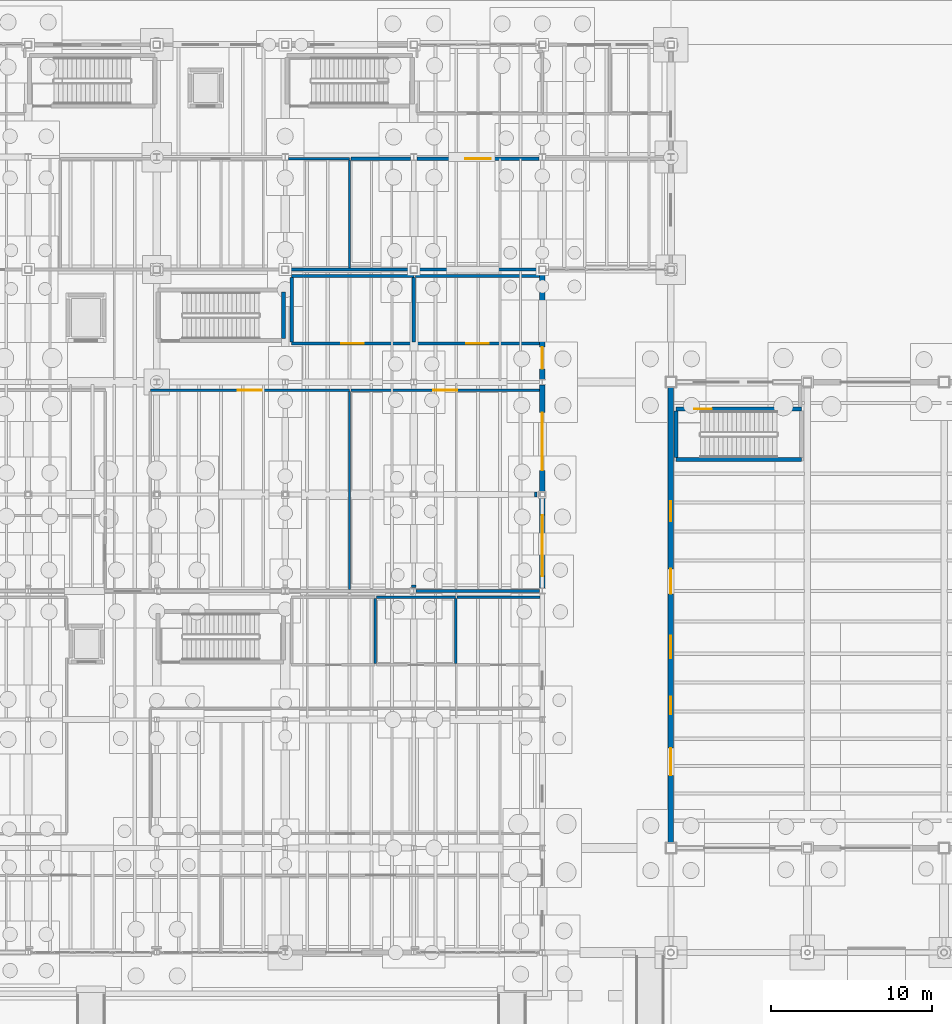
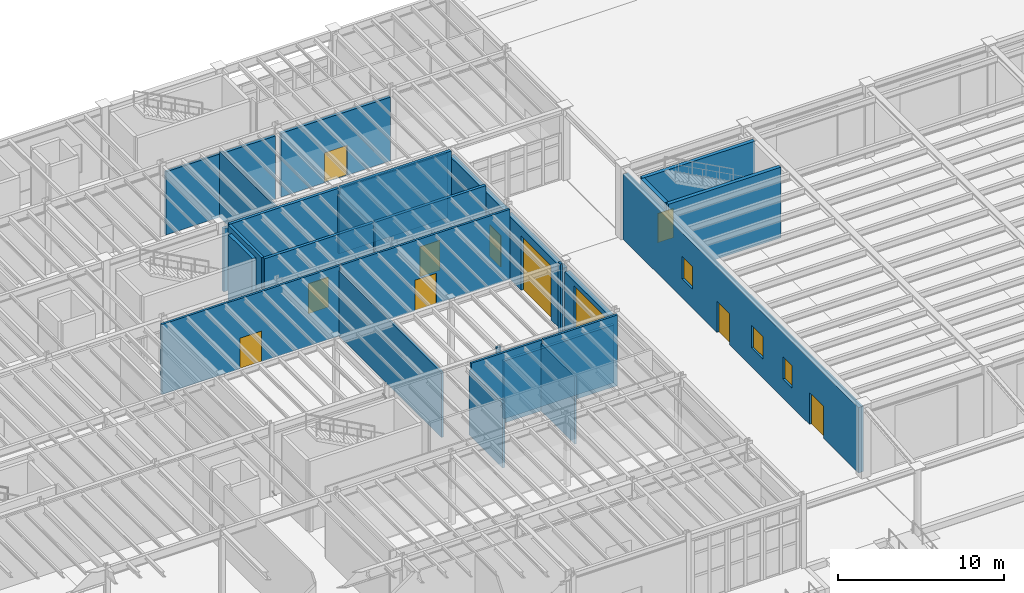
# One storey, part 62 of 86: 30 walls, 11 doors, 3 windows, 14 openings.
"""IFC4 building model written with IfcOpenShell, lengths in metres."""

from ifc_helpers import new_model, si_unit, direction, frame, frame_2d, origin, place, context, subcontext, project, spatial, rectangle, extrude, material, layer, layer_set, type_object, element, fill, save


model = new_model("IFC4")

# Units and contexts
model_context = context("Model", 3, precision=1e-05, world=origin(), true_north=direction((0.0, 1.0)))
body_context = subcontext(model_context, "Body", "Model", "MODEL_VIEW")
ifc_project = project(units=[si_unit("LENGTHUNIT", "METRE"), si_unit("AREAUNIT", "SQUARE_METRE"), si_unit("VOLUMEUNIT", "CUBIC_METRE"), si_unit("PLANEANGLEUNIT", "RADIAN"), si_unit("MASSUNIT", "GRAM", prefix="KILO"), si_unit("THERMODYNAMICTEMPERATUREUNIT", "KELVIN"), si_unit("POWERUNIT", "WATT")], contexts=[model_context])

# Site, building, storey
site_placement = place(None, origin())
site = spatial("IfcSite", under=ifc_project, at=site_placement, CompositionType="ELEMENT")
building_placement = place(site_placement, origin())
building = spatial("IfcBuilding", under=site, at=building_placement, Name="Zhenchuan Central Fire Station", CompositionType="ELEMENT")
storey_placement = place(building_placement, frame((0.0, 0.0, 0.449951171875)))
storey = spatial("IfcBuildingStorey", under=building, at=storey_placement, Name="L01", CompositionType="ELEMENT", Elevation=0.449951171875)

# Wall, openings, doors, windows
ifc_material_1 = material(Name="Sintered clay brick masonry MU15", Category="masonry")
ifc_layer_1 = layer(ifc_material_1, 0.35009765625, Name="Sintered clay brick masonry MU15", Category="masonry")
ifc_layer_set_1 = layer_set([ifc_layer_1], Name="Sintered clay brick masonry MU15")
wall_type_1 = type_object("IfcWallType", Name="EW-BRK350", PredefinedType="SOLIDWALL", material=ifc_layer_set_1)
wall_1_placement = place(storey_placement, frame((56.0, 6.824951171875, 0.0), z_axis=(0.0, 0.0, 1.0), x_axis=(0.0, 1.0, 0.0)))
wall_1 = element("IfcWall", 1, at=wall_1_placement, inside=storey, type_object=wall_type_1, Name="Appliance Hall West Brick Wall", PredefinedType="SOLIDWALL", context=body_context, shape_type="SweptSolid", body=[
    extrude(rectangle(XDim=28.35009765625, YDim=0.35009765625, at=frame_2d((14.175048828125, 0.0))), origin(), (0.0, 0.0, 1.0), 4.7939453125),
])
opening_1_placement = place(wall_1_placement, frame((4.199951171875, 0.0, 0.0)))
opening_1 = element("IfcOpeningElement", 2, at=opening_1_placement, cuts=wall_1, Name="Opening EX-003", PredefinedType="OPENING", context=body_context, shape_type="SweptSolid", body=[
    extrude(rectangle(XDim=1.699951171875, YDim=2.35009765625, at=frame_2d((0.85009765625, 1.175048828125))), frame((0.0, 0.18505859375, 0.0), z_axis=(0.0, -1.0, 0.0), x_axis=(1.0, 0.0, 0.0)), (0.0, 0.0, 1.0), 0.3701171875),
])
opening_2_placement = place(wall_1_placement, frame((15.5, 0.0, 0.0)))
opening_2 = element("IfcOpeningElement", 3, at=opening_2_placement, cuts=wall_1, Name="Opening EX-004", PredefinedType="OPENING", context=body_context, shape_type="SweptSolid", body=[
    extrude(rectangle(XDim=1.550048828125, YDim=2.300048828125, at=frame_2d((0.77490234375, 1.14990234375))), frame((0.0, 0.18505859375, 0.0), z_axis=(0.0, -1.0, 0.0), x_axis=(1.0, 0.0, 0.0)), (0.0, 0.0, 1.0), 0.3701171875),
])
opening_3_placement = place(wall_1_placement, frame((8.0, 0.0, 1.39990234375)))
opening_3 = element("IfcOpeningElement", 4, at=opening_3_placement, cuts=wall_1, Name="Opening W-47", PredefinedType="OPENING", context=body_context, shape_type="SweptSolid", body=[
    extrude(rectangle(XDim=1.10009765625, YDim=1.64990234375, at=frame_2d((0.550048828125, 0.824951171875))), frame((0.0, 0.18505859375, 0.0), z_axis=(0.0, -1.0, 0.0), x_axis=(1.0, 0.0, 0.0)), (0.0, 0.0, 1.0), 0.3701171875),
])
opening_4_placement = place(wall_1_placement, frame((11.5, 0.0, 1.39990234375)))
opening_4 = element("IfcOpeningElement", 5, at=opening_4_placement, cuts=wall_1, Name="Opening W-48", PredefinedType="OPENING", context=body_context, shape_type="SweptSolid", body=[
    extrude(rectangle(XDim=1.39990234375, YDim=1.64990234375, at=frame_2d((0.699951171875, 0.824951171875))), frame((0.0, 0.18505859375, 0.0), z_axis=(0.0, -1.0, 0.0), x_axis=(1.0, 0.0, 0.0)), (0.0, 0.0, 1.0), 0.3701171875),
])
opening_5_placement = place(wall_1_placement, frame((20.0, 0.0, 1.39990234375)))
opening_5 = element("IfcOpeningElement", 6, at=opening_5_placement, cuts=wall_1, Name="Opening W-49", PredefinedType="OPENING", context=body_context, shape_type="SweptSolid", body=[
    extrude(rectangle(XDim=1.25, YDim=1.64990234375, at=frame_2d((0.625, 0.824951171875))), frame((0.0, 0.18505859375, 0.0), z_axis=(0.0, -1.0, 0.0), x_axis=(1.0, 0.0, 0.0)), (0.0, 0.0, 1.0), 0.3701171875),
])
ifc_material_2 = material(Name="Powder-coated steel turnout exit door", Category="steel")
door_type_1 = type_object("IfcDoorType", Name="ED-155x230", OperationType="NOTDEFINED", PredefinedType="DOOR", material=ifc_material_2)
door_1_placement = place(opening_2_placement, origin())
door_1 = element("IfcDoor", 7, at=door_1_placement, inside=storey, type_object=door_type_1, Name="Appliance Turnout West Exit Door", OperationType="SINGLE_SWING_RIGHT", OverallHeight=2.300048828125, OverallWidth=1.550048828125, PredefinedType="DOOR", context=body_context, shape_type="SweptSolid", body=[
    extrude(rectangle(XDim=1.550048828125, YDim=2.300048828125, at=frame_2d((0.77490234375, 1.14990234375))), frame((0.0, 0.02490234375, 0.0), z_axis=(0.0, -1.0, 0.0), x_axis=(1.0, 0.0, 0.0)), (0.0, 0.0, 1.0), 0.050048828125),
])
fill(opening_2, door_1)
door_type_2 = type_object("IfcDoorType", Name="ED-170x235", OperationType="NOTDEFINED", PredefinedType="DOOR", material=ifc_material_2)
door_2_placement = place(opening_1_placement, origin())
door_2 = element("IfcDoor", 8, at=door_2_placement, inside=storey, type_object=door_type_2, Name="Appliance West Avenue Exit Door", OperationType="SINGLE_SWING_LEFT", OverallHeight=2.35009765625, OverallWidth=1.699951171875, PredefinedType="DOOR", context=body_context, shape_type="SweptSolid", body=[
    extrude(rectangle(XDim=1.699951171875, YDim=2.35009765625, at=frame_2d((0.85009765625, 1.175048828125))), frame((0.0, 0.02490234375, 0.0), z_axis=(0.0, -1.0, 0.0), x_axis=(1.0, 0.0, 0.0)), (0.0, 0.0, 1.0), 0.050048828125),
])
fill(opening_1, door_2)
ifc_material_3 = material(Name="Laminated low-E double glazing in aluminium frame", Category="aluminium")
window_type_1 = type_object("IfcWindowType", Name="WN-47", PartitioningType="SINGLE_PANEL", PredefinedType="WINDOW", material=ifc_material_3)
window_1_placement = place(opening_3_placement, origin())
window_1 = element("IfcWindow", 9, at=window_1_placement, inside=storey, type_object=window_type_1, Name="Exterior Window 0003", OverallHeight=1.64990234375, OverallWidth=1.10009765625, PartitioningType="SINGLE_PANEL", PredefinedType="WINDOW", context=body_context, shape_type="SweptSolid", body=[
    extrude(rectangle(XDim=1.10009765625, YDim=1.64990234375, at=frame_2d((0.550048828125, 0.824951171875))), frame((0.0, 0.030029296875, 0.0), z_axis=(0.0, -1.0, 0.0), x_axis=(1.0, 0.0, 0.0)), (0.0, 0.0, 1.0), 0.06005859375),
])
fill(opening_3, window_1)
window_type_2 = type_object("IfcWindowType", Name="WN-48", PartitioningType="SINGLE_PANEL", PredefinedType="WINDOW", material=ifc_material_3)
window_2_placement = place(opening_4_placement, origin())
window_2 = element("IfcWindow", 10, at=window_2_placement, inside=storey, type_object=window_type_2, Name="Exterior Window 0004", OverallHeight=1.64990234375, OverallWidth=1.39990234375, PartitioningType="SINGLE_PANEL", PredefinedType="WINDOW", context=body_context, shape_type="SweptSolid", body=[
    extrude(rectangle(XDim=1.39990234375, YDim=1.64990234375, at=frame_2d((0.699951171875, 0.824951171875))), frame((0.0, 0.030029296875, 0.0), z_axis=(0.0, -1.0, 0.0), x_axis=(1.0, 0.0, 0.0)), (0.0, 0.0, 1.0), 0.06005859375),
])
fill(opening_4, window_2)
window_type_3 = type_object("IfcWindowType", Name="WN-49", PartitioningType="SINGLE_PANEL", PredefinedType="WINDOW", material=ifc_material_3)
window_3_placement = place(opening_5_placement, origin())
window_3 = element("IfcWindow", 11, at=window_3_placement, inside=storey, type_object=window_type_3, Name="Exterior Window 0005", OverallHeight=1.64990234375, OverallWidth=1.25, PartitioningType="SINGLE_PANEL", PredefinedType="WINDOW", context=body_context, shape_type="SweptSolid", body=[
    extrude(rectangle(XDim=1.25, YDim=1.64990234375, at=frame_2d((0.625, 0.824951171875))), frame((0.0, 0.030029296875, 0.0), z_axis=(0.0, -1.0, 0.0), x_axis=(1.0, 0.0, 0.0)), (0.0, 0.0, 1.0), 0.06005859375),
])
fill(opening_5, window_3)

# Wall, opening, door
wall_2_placement = place(storey_placement, frame((48.0, 22.675048828125, 0.0), z_axis=(0.0, 0.0, 1.0), x_axis=(0.0, 1.0, 0.0)))
wall_2 = element("IfcWall", 12, at=wall_2_placement, inside=storey, type_object=wall_type_1, Name="EW-L01-V4E-0", PredefinedType="SOLIDWALL", context=body_context, shape_type="SweptSolid", body=[
    extrude(rectangle(XDim=5.675048828125, YDim=0.35009765625, at=frame_2d((2.83740234375, 0.0))), origin(), (0.0, 0.0, 1.0), 4.5439453125),
])
opening_6_placement = place(wall_2_placement, frame((0.75, 0.0, 0.0)))
opening_6 = element("IfcOpeningElement", 13, at=opening_6_placement, cuts=wall_2, Name="Opening WG-001", PredefinedType="OPENING", context=body_context, shape_type="SweptSolid", body=[
    extrude(rectangle(XDim=3.800048828125, YDim=4.199951171875, at=frame_2d((1.89990234375, 2.10009765625))), frame((0.0, 0.18505859375, 0.0), z_axis=(0.0, -1.0, 0.0), x_axis=(1.0, 0.0, 0.0)), (0.0, 0.0, 1.0), 0.3701171875),
])
ifc_material_4 = material(Name="Insulated powder-coated steel", Category="steel")
door_type_3 = type_object("IfcDoorType", Name="DG-WKS-380x420", OperationType="NOTDEFINED", PredefinedType="GATE", material=ifc_material_4)
door_3_placement = place(opening_6_placement, frame((3.800048828125, 0.0, 0.0), z_axis=(0.0, 0.0, 1.0), x_axis=(-1.0, 0.0, 0.0)))
door_3 = element("IfcDoor", 14, at=door_3_placement, inside=storey, type_object=door_type_3, Name="Fleet Workshop Vehicle Gate 01", OperationType="FOLDING_TO_LEFT", OverallHeight=4.199951171875, OverallWidth=3.800048828125, PredefinedType="GATE", context=body_context, shape_type="SweptSolid", body=[
    extrude(rectangle(XDim=3.800048828125, YDim=4.199951171875, at=frame_2d((1.89990234375, 2.10009765625))), frame((0.0, 0.02490234375, 0.0), z_axis=(0.0, -1.0, 0.0), x_axis=(1.0, 0.0, 0.0)), (0.0, 0.0, 1.0), 0.050048828125),
])
fill(opening_6, door_3)

wall_3_placement = place(storey_placement, frame((48.0, 28.64990234375, 0.0), z_axis=(0.0, 0.0, 1.0), x_axis=(0.0, 1.0, 0.0)))
wall_3 = element("IfcWall", 15, at=wall_3_placement, inside=storey, type_object=wall_type_1, Name="EW-L01-V4E-1", PredefinedType="SOLIDWALL", context=body_context, shape_type="SweptSolid", body=[
    extrude(rectangle(XDim=6.675048828125, YDim=0.35009765625, at=frame_2d((3.33740234375, 0.0))), origin(), (0.0, 0.0, 1.0), 4.593994140625),
])
opening_7_placement = place(wall_3_placement, frame((1.35009765625, 0.0, 0.0)))
opening_7 = element("IfcOpeningElement", 16, at=opening_7_placement, cuts=wall_3, Name="Opening WG-002", PredefinedType="OPENING", context=body_context, shape_type="SweptSolid", body=[
    extrude(rectangle(XDim=3.60009765625, YDim=4.0, at=frame_2d((1.800048828125, 2.0))), frame((0.0, 0.18505859375, 0.0), z_axis=(0.0, -1.0, 0.0), x_axis=(1.0, 0.0, 0.0)), (0.0, 0.0, 1.0), 0.3701171875),
])
door_type_4 = type_object("IfcDoorType", Name="DG-WKS-360x400", OperationType="NOTDEFINED", PredefinedType="GATE", material=ifc_material_4)
door_4_placement = place(opening_7_placement, frame((3.60009765625, 0.0, 0.0), z_axis=(0.0, 0.0, 1.0), x_axis=(-1.0, 0.0, 0.0)))
door_4 = element("IfcDoor", 17, at=door_4_placement, inside=storey, type_object=door_type_4, Name="Fleet Workshop Vehicle Gate 02", OperationType="FOLDING_TO_RIGHT", OverallHeight=4.0, OverallWidth=3.60009765625, PredefinedType="GATE", context=body_context, shape_type="SweptSolid", body=[
    extrude(rectangle(XDim=3.60009765625, YDim=4.0, at=frame_2d((1.800048828125, 2.0))), frame((0.0, 0.02490234375, 0.0), z_axis=(0.0, -1.0, 0.0), x_axis=(1.0, 0.0, 0.0)), (0.0, 0.0, 1.0), 0.050048828125),
])
fill(opening_7, door_4)

wall_4_placement = place(storey_placement, frame((48.0, 35.675048828125, 0.0), z_axis=(0.0, 0.0, 1.0), x_axis=(0.0, 1.0, 0.0)))
wall_4 = element("IfcWall", 18, at=wall_4_placement, inside=storey, type_object=wall_type_1, Name="EW-L01-V4E-2", PredefinedType="SOLIDWALL", context=body_context, shape_type="SweptSolid", body=[
    extrude(rectangle(XDim=6.599853515625, YDim=0.35009765625, at=frame_2d((3.2998046875, 0.0))), origin(), (0.0, 0.0, 1.0), 4.64404296875),
])
opening_8_placement = place(wall_4_placement, frame((0.64990234375, 0.0, 0.0)))
opening_8 = element("IfcOpeningElement", 19, at=opening_8_placement, cuts=wall_4, Name="Opening EX-008", PredefinedType="OPENING", context=body_context, shape_type="SweptSolid", body=[
    extrude(rectangle(XDim=1.35009765625, YDim=2.300048828125, at=frame_2d((0.675048828125, 1.14990234375))), frame((0.0, 0.18505859375, 0.0), z_axis=(0.0, -1.0, 0.0), x_axis=(1.0, 0.0, 0.0)), (0.0, 0.0, 1.0), 0.3701171875),
])
ifc_material_5 = material(Name="Powder-coated steel fire exit door", Category="steel")
door_type_5 = type_object("IfcDoorType", Name="ED-135x230", OperationType="NOTDEFINED", PredefinedType="DOOR", material=ifc_material_5)
door_5_placement = place(opening_8_placement, frame((1.35009765625, 0.0, 0.0), z_axis=(0.0, 0.0, 1.0), x_axis=(-1.0, 0.0, 0.0)))
door_5 = element("IfcDoor", 20, at=door_5_placement, inside=storey, type_object=door_type_5, Name="Workshop East Yard Exit", OperationType="SINGLE_SWING_RIGHT", OverallHeight=2.300048828125, OverallWidth=1.35009765625, PredefinedType="DOOR", context=body_context, shape_type="SweptSolid", body=[
    extrude(rectangle(XDim=1.35009765625, YDim=2.300048828125, at=frame_2d((0.675048828125, 1.14990234375))), frame((0.0, 0.02490234375, 0.0), z_axis=(0.0, -1.0, 0.0), x_axis=(1.0, 0.0, 0.0)), (0.0, 0.0, 1.0), 0.050048828125),
])
fill(opening_8, door_5)

# Walls
ifc_material_6 = material(Name="Autoclaved aerated concrete blockwork", Category="masonry")
ifc_layer_2 = layer(ifc_material_6, 0.14990234375, Name="Autoclaved aerated concrete blockwork", Category="masonry")
ifc_layer_set_2 = layer_set([ifc_layer_2], Name="Autoclaved aerated concrete blockwork")
wall_type_2 = type_object("IfcWallType", Name="IW-BLK150", PredefinedType="PARTITIONING", material=ifc_layer_set_2)
wall_5_placement = place(storey_placement, frame((37.60009765625, 17.97802734375, 0.0), z_axis=(0.0, 0.0, 1.0), x_axis=(0.0, 1.0, 0.0)))
element("IfcWall", 21, at=wall_5_placement, inside=storey, type_object=wall_type_2, Name="Public Male WC E Partition", PredefinedType="PARTITIONING", context=body_context, shape_type="SweptSolid", body=[
    extrude(rectangle(XDim=4.0439453125, YDim=0.14990234375, at=frame_2d((2.02197265625, 0.0))), origin(), (0.0, 0.0, 1.0), 4.754150390625),
])
wall_6_placement = place(storey_placement, frame((37.677978515625, 22.10009765625, 0.0), z_axis=(0.0, 0.0, 1.0), x_axis=(1.0, 0.0, 0.0)))
element("IfcWall", 22, at=wall_6_placement, inside=storey, type_object=wall_type_2, Name="Public Female WC N Partition", PredefinedType="PARTITIONING", context=body_context, shape_type="SweptSolid", body=[
    extrude(rectangle(XDim=4.922119140625, YDim=0.14990234375, at=frame_2d((2.4609375, 0.0))), origin(), (0.0, 0.0, 1.0), 5.199951171875),
])
wall_7_placement = place(storey_placement, frame((42.60009765625, 17.97802734375, 0.0), z_axis=(0.0, 0.0, 1.0), x_axis=(0.0, 1.0, 0.0)))
element("IfcWall", 23, at=wall_7_placement, inside=storey, type_object=wall_type_2, Name="Public Female WC E Partition", PredefinedType="PARTITIONING", context=body_context, shape_type="SweptSolid", body=[
    extrude(rectangle(XDim=4.0439453125, YDim=0.14990234375, at=frame_2d((2.02197265625, 0.0))), origin(), (0.0, 0.0, 1.0), 4.9541015625),
])
wall_8_placement = place(storey_placement, frame((42.677978515625, 22.10009765625, 0.0), z_axis=(0.0, 0.0, 1.0), x_axis=(1.0, 0.0, 0.0)))
element("IfcWall", 24, at=wall_8_placement, inside=storey, type_object=wall_type_2, Name="Public Accessible WC N Partition", PredefinedType="PARTITIONING", context=body_context, shape_type="SweptSolid", body=[
    extrude(rectangle(XDim=5.1689453125, YDim=0.14990234375, at=frame_2d((2.58447265625, 0.0))), origin(), (0.0, 0.0, 1.0), 5.199951171875),
])

# Wall, opening, door
wall_9_placement = place(storey_placement, frame((23.60009765625, 35.0, 0.0), z_axis=(0.0, 0.0, 1.0), x_axis=(1.0, 0.0, 0.0)))
wall_9 = element("IfcWall", 25, at=wall_9_placement, inside=storey, type_object=wall_type_2, Name="Heavy Fleet Maintenance Workshop N Partition", PredefinedType="PARTITIONING", context=body_context, shape_type="SweptSolid", body=[
    extrude(rectangle(XDim=12.39990234375, YDim=0.14990234375, at=frame_2d((6.199951171875, 0.0))), origin(), (0.0, 0.0, 1.0), 5.16015625),
])
opening_9_placement = place(wall_9_placement, frame((5.449951171875, 0.0, 0.0)))
opening_9 = element("IfcOpeningElement", 26, at=opening_9_placement, cuts=wall_9, Name="Opening D-075", PredefinedType="OPENING", context=body_context, shape_type="SweptSolid", body=[
    extrude(rectangle(XDim=1.5, YDim=2.25, at=frame_2d((0.75, 1.125))), frame((0.0, 0.0849609375, 0.0), z_axis=(0.0, -1.0, 0.0), x_axis=(1.0, 0.0, 0.0)), (0.0, 0.0, 1.0), 0.169921875),
])
ifc_material_7 = material(Name="Powder-coated steel workshop door", Category="steel")
door_type_6 = type_object("IfcDoorType", Name="ID-WKS-150x225", OperationType="NOTDEFINED", PredefinedType="DOOR", material=ifc_material_7)
door_6_placement = place(opening_9_placement, origin())
door_6 = element("IfcDoor", 27, at=door_6_placement, inside=storey, type_object=door_type_6, Name="Heavy Fleet Maintenance Workshop Door", OperationType="SINGLE_SWING_LEFT", OverallHeight=2.25, OverallWidth=1.5, PredefinedType="DOOR", context=body_context, shape_type="SweptSolid", body=[
    extrude(rectangle(XDim=1.5, YDim=2.25, at=frame_2d((0.75, 1.125))), frame((0.0, 0.02490234375, 0.0), z_axis=(0.0, -1.0, 0.0), x_axis=(1.0, 0.0, 0.0)), (0.0, 0.0, 1.0), 0.050048828125),
])
fill(opening_9, door_6)

# Walls
wall_10_placement = place(storey_placement, frame((36.0, 22.60302734375, 0.0), z_axis=(0.0, 0.0, 1.0), x_axis=(0.0, 1.0, 0.0)))
element("IfcWall", 28, at=wall_10_placement, inside=storey, type_object=wall_type_2, Name="Heavy Fleet Maintenance Workshop E Partition", PredefinedType="PARTITIONING", context=body_context, shape_type="SweptSolid", body=[
    extrude(rectangle(XDim=12.319091796875, YDim=0.14990234375, at=frame_2d((6.15966796875, 0.0))), origin(), (0.0, 0.0, 1.0), 4.803955078125),
])
wall_11_placement = place(storey_placement, frame((39.85107421875, 22.800048828125, 0.0), z_axis=(0.0, 0.0, 1.0), x_axis=(1.0, 0.0, 0.0)))
element("IfcWall", 29, at=wall_11_placement, inside=storey, type_object=wall_type_2, Name="Pump and Aerial Ladder Repair Bay S Partition", PredefinedType="PARTITIONING", context=body_context, shape_type="SweptSolid", body=[
    extrude(rectangle(XDim=0.2978515625, YDim=0.14990234375, at=frame_2d((0.14892578125, 0.0))), origin(), (0.0, 0.0, 1.0), 5.16015625),
])

# Wall, opening, door
wall_12_placement = place(storey_placement, frame((36.077880859375, 35.0, 0.0), z_axis=(0.0, 0.0, 1.0), x_axis=(1.0, 0.0, 0.0)))
wall_12 = element("IfcWall", 30, at=wall_12_placement, inside=storey, type_object=wall_type_2, Name="Pump and Aerial Ladder Repair Bay N Partition", PredefinedType="PARTITIONING", context=body_context, shape_type="SweptSolid", body=[
    extrude(rectangle(XDim=11.744140625, YDim=0.14990234375, at=frame_2d((5.8720703125, 0.0))), origin(), (0.0, 0.0, 1.0), 5.16015625),
])
opening_10_placement = place(wall_12_placement, frame((5.1220703125, 0.0, 0.0)))
opening_10 = element("IfcOpeningElement", 31, at=opening_10_placement, cuts=wall_12, Name="Opening D-076", PredefinedType="OPENING", context=body_context, shape_type="SweptSolid", body=[
    extrude(rectangle(XDim=1.5, YDim=2.25, at=frame_2d((0.75, 1.125))), frame((0.0, 0.0849609375, 0.0), z_axis=(0.0, -1.0, 0.0), x_axis=(1.0, 0.0, 0.0)), (0.0, 0.0, 1.0), 0.169921875),
])
door_7_placement = place(opening_10_placement, origin())
door_7 = element("IfcDoor", 32, at=door_7_placement, inside=storey, type_object=door_type_6, Name="Pump and Aerial Ladder Repair Bay Door", OperationType="SINGLE_SWING_RIGHT", OverallHeight=2.25, OverallWidth=1.5, PredefinedType="DOOR", context=body_context, shape_type="SweptSolid", body=[
    extrude(rectangle(XDim=1.5, YDim=2.25, at=frame_2d((0.75, 1.125))), frame((0.0, 0.02490234375, 0.0), z_axis=(0.0, -1.0, 0.0), x_axis=(1.0, 0.0, 0.0)), (0.0, 0.0, 1.0), 0.050048828125),
])
fill(opening_10, door_7)

# Walls
wall_13_placement = place(storey_placement, frame((47.60009765625, 28.35302734375, 0.0), z_axis=(0.0, 0.0, 1.0), x_axis=(0.0, 1.0, 0.0)))
element("IfcWall", 33, at=wall_13_placement, inside=storey, type_object=wall_type_2, Name="Pump and Aerial Ladder Repair Bay E Partition", PredefinedType="PARTITIONING", context=body_context, shape_type="SweptSolid", body=[
    extrude(rectangle(XDim=0.2939453125, YDim=0.14990234375, at=frame_2d((0.14697265625, 0.0))), origin(), (0.0, 0.0, 1.0), 5.199951171875),
])
wall_14_placement = place(storey_placement, frame((32.202880859375, 49.39990234375, 0.0), z_axis=(0.0, 0.0, 1.0), x_axis=(1.0, 0.0, 0.0)))
element("IfcWall", 34, at=wall_14_placement, inside=storey, type_object=wall_type_2, Name="Decontamination and Gear Laundry Room N Partition 3", PredefinedType="PARTITIONING", context=body_context, shape_type="SweptSolid", body=[
    extrude(rectangle(XDim=3.797119140625, YDim=0.14990234375, at=frame_2d((1.8984375, 0.0))), origin(), (0.0, 0.0, 1.0), 4.64404296875),
])
wall_15_placement = place(storey_placement, frame((36.0, 42.60302734375, 0.0), z_axis=(0.0, 0.0, 1.0), x_axis=(0.0, 1.0, 0.0)))
element("IfcWall", 35, at=wall_15_placement, inside=storey, type_object=wall_type_2, Name="Decontamination and Gear Laundry Room E Partition", PredefinedType="PARTITIONING", context=body_context, shape_type="SweptSolid", body=[
    extrude(rectangle(XDim=6.718994140625, YDim=0.14990234375, at=frame_2d((3.359375, 0.0))), origin(), (0.0, 0.0, 1.0), 4.85400390625),
])
ifc_layer_3 = layer(ifc_material_6, 0.199951171875, Name="Autoclaved aerated concrete blockwork", Category="masonry")
ifc_layer_set_3 = layer_set([ifc_layer_3], Name="Autoclaved aerated concrete blockwork")
wall_type_3 = type_object("IfcWallType", Name="IW-FIR200", PredefinedType="PARTITIONING", material=ifc_layer_set_3)
wall_16_placement = place(storey_placement, frame((40.152099609375, 22.5, 0.0), z_axis=(0.0, 0.0, 1.0), x_axis=(1.0, 0.0, 0.0)))
element("IfcWall", 36, at=wall_16_placement, inside=storey, type_object=wall_type_3, Name="L01 Gallery-Workshop Fire Compartment Wall X=40..48", PredefinedType="PARTITIONING", context=body_context, shape_type="SweptSolid", body=[
    extrude(rectangle(XDim=7.6708984375, YDim=0.199951171875, at=frame_2d((3.83544921875, 0.0))), origin(), (0.0, 0.0, 1.0), 4.254150390625),
])
wall_17_placement = place(storey_placement, frame((32.22705078125, 42.5, 0.0), z_axis=(0.0, 0.0, 1.0), x_axis=(1.0, 0.0, 0.0)))
element("IfcWall", 37, at=wall_17_placement, inside=storey, type_object=wall_type_3, Name="L01 Workshop-Crew Fire Compartment Wall X=32..40", PredefinedType="PARTITIONING", context=body_context, shape_type="SweptSolid", body=[
    extrude(rectangle(XDim=7.5458984375, YDim=0.199951171875, at=frame_2d((3.77294921875, 0.0))), origin(), (0.0, 0.0, 1.0), 4.654052734375),
])
wall_18_placement = place(storey_placement, frame((40.22705078125, 42.5, 0.0), z_axis=(0.0, 0.0, 1.0), x_axis=(1.0, 0.0, 0.0)))
element("IfcWall", 38, at=wall_18_placement, inside=storey, type_object=wall_type_3, Name="L01 Workshop-Crew Fire Compartment Wall X=40..48", PredefinedType="PARTITIONING", context=body_context, shape_type="SweptSolid", body=[
    extrude(rectangle(XDim=7.5458984375, YDim=0.199951171875, at=frame_2d((3.77294921875, 0.0))), origin(), (0.0, 0.0, 1.0), 4.754150390625),
])

# Wall, opening, door
wall_19_placement = place(storey_placement, frame((32.39990234375, 37.89990234375, 0.0), z_axis=(0.0, 0.0, 1.0), x_axis=(1.0, 0.0, 0.0)))
wall_19 = element("IfcWall", 39, at=wall_19_placement, inside=storey, type_object=wall_type_3, Name="Fire Pump and Water Tank Plant Room S Partition", PredefinedType="PARTITIONING", context=body_context, shape_type="SweptSolid", body=[
    extrude(rectangle(XDim=7.60009765625, YDim=0.199951171875, at=frame_2d((3.800048828125, 0.0))), origin(), (0.0, 0.0, 1.0), 5.16015625),
])
opening_11_placement = place(wall_19_placement, frame((3.10009765625, 0.0, 0.0)))
opening_11 = element("IfcOpeningElement", 40, at=opening_11_placement, cuts=wall_19, Name="Opening D-078", PredefinedType="OPENING", context=body_context, shape_type="SweptSolid", body=[
    extrude(rectangle(XDim=1.39990234375, YDim=2.199951171875, at=frame_2d((0.699951171875, 1.10009765625))), frame((0.0, 0.10986328125, 0.0), z_axis=(0.0, -1.0, 0.0), x_axis=(1.0, 0.0, 0.0)), (0.0, 0.0, 1.0), 0.219970703125),
])
ifc_material_8 = material(Name="Galvanised steel plant room fire door", Category="steel")
door_type_7 = type_object("IfcDoorType", Name="ID-PLT-140x220", OperationType="NOTDEFINED", PredefinedType="DOOR", material=ifc_material_8)
door_8_placement = place(opening_11_placement, origin())
door_8 = element("IfcDoor", 41, at=door_8_placement, inside=storey, type_object=door_type_7, Name="Fire Pump and Water Tank Plant Room Door", OperationType="SINGLE_SWING_RIGHT", OverallHeight=2.199951171875, OverallWidth=1.39990234375, PredefinedType="DOOR", context=body_context, shape_type="SweptSolid", body=[
    extrude(rectangle(XDim=1.39990234375, YDim=2.199951171875, at=frame_2d((0.699951171875, 1.10009765625))), frame((0.0, 0.02490234375, 0.0), z_axis=(0.0, -1.0, 0.0), x_axis=(1.0, 0.0, 0.0)), (0.0, 0.0, 1.0), 0.050048828125),
])
fill(opening_11, door_8)

# Walls
wall_20_placement = place(storey_placement, frame((32.39990234375, 42.10009765625, 0.0), z_axis=(0.0, 0.0, 1.0), x_axis=(1.0, 0.0, 0.0)))
element("IfcWall", 42, at=wall_20_placement, inside=storey, type_object=wall_type_3, Name="Fire Pump and Water Tank Plant Room N Partition", PredefinedType="PARTITIONING", context=body_context, shape_type="SweptSolid", body=[
    extrude(rectangle(XDim=7.60009765625, YDim=0.199951171875, at=frame_2d((3.800048828125, 0.0))), origin(), (0.0, 0.0, 1.0), 5.16015625),
])
wall_21_placement = place(storey_placement, frame((32.39990234375, 38.0029296875, 0.0), z_axis=(0.0, 0.0, 1.0), x_axis=(0.0, 1.0, 0.0)))
element("IfcWall", 43, at=wall_21_placement, inside=storey, type_object=wall_type_3, Name="Fire Pump and Water Tank Plant Room W Partition", PredefinedType="PARTITIONING", context=body_context, shape_type="SweptSolid", body=[
    extrude(rectangle(XDim=3.994140625, YDim=0.199951171875, at=frame_2d((1.9970703125, 0.0))), origin(), (0.0, 0.0, 1.0), 5.16015625),
])
wall_22_placement = place(storey_placement, frame((40.0, 38.0029296875, 0.0), z_axis=(0.0, 0.0, 1.0), x_axis=(0.0, 1.0, 0.0)))
element("IfcWall", 44, at=wall_22_placement, inside=storey, type_object=wall_type_3, Name="Fire Pump and Water Tank Plant Room E Partition", PredefinedType="PARTITIONING", context=body_context, shape_type="SweptSolid", body=[
    extrude(rectangle(XDim=3.994140625, YDim=0.199951171875, at=frame_2d((1.9970703125, 0.0))), origin(), (0.0, 0.0, 1.0), 4.714111328125),
])

# Wall, opening, door
wall_23_placement = place(storey_placement, frame((40.10302734375, 37.89990234375, 0.0), z_axis=(0.0, 0.0, 1.0), x_axis=(1.0, 0.0, 0.0)))
wall_23 = element("IfcWall", 45, at=wall_23_placement, inside=storey, type_object=wall_type_3, Name="Standby Generator Room S Partition", PredefinedType="PARTITIONING", context=body_context, shape_type="SweptSolid", body=[
    extrude(rectangle(XDim=7.718994140625, YDim=0.199951171875, at=frame_2d((3.859375, 0.0))), origin(), (0.0, 0.0, 1.0), 5.16015625),
])
opening_12_placement = place(wall_23_placement, frame((3.159423828125, 0.0, 0.0)))
opening_12 = element("IfcOpeningElement", 46, at=opening_12_placement, cuts=wall_23, Name="Opening D-079", PredefinedType="OPENING", context=body_context, shape_type="SweptSolid", body=[
    extrude(rectangle(XDim=1.39990234375, YDim=2.199951171875, at=frame_2d((0.699951171875, 1.10009765625))), frame((0.0, 0.10986328125, 0.0), z_axis=(0.0, -1.0, 0.0), x_axis=(1.0, 0.0, 0.0)), (0.0, 0.0, 1.0), 0.219970703125),
])
door_9_placement = place(opening_12_placement, origin())
door_9 = element("IfcDoor", 47, at=door_9_placement, inside=storey, type_object=door_type_7, Name="Standby Generator Room Door", OperationType="SINGLE_SWING_LEFT", OverallHeight=2.199951171875, OverallWidth=1.39990234375, PredefinedType="DOOR", context=body_context, shape_type="SweptSolid", body=[
    extrude(rectangle(XDim=1.39990234375, YDim=2.199951171875, at=frame_2d((0.699951171875, 1.10009765625))), frame((0.0, 0.02490234375, 0.0), z_axis=(0.0, -1.0, 0.0), x_axis=(1.0, 0.0, 0.0)), (0.0, 0.0, 1.0), 0.050048828125),
])
fill(opening_12, door_9)

# Walls
wall_24_placement = place(storey_placement, frame((40.10302734375, 42.10009765625, 0.0), z_axis=(0.0, 0.0, 1.0), x_axis=(1.0, 0.0, 0.0)))
element("IfcWall", 48, at=wall_24_placement, inside=storey, type_object=wall_type_3, Name="Standby Generator Room N Partition", PredefinedType="PARTITIONING", context=body_context, shape_type="SweptSolid", body=[
    extrude(rectangle(XDim=7.718994140625, YDim=0.199951171875, at=frame_2d((3.859375, 0.0))), origin(), (0.0, 0.0, 1.0), 5.16015625),
])
wall_25_placement = place(storey_placement, frame((36.077880859375, 49.39990234375, 0.0), z_axis=(0.0, 0.0, 1.0), x_axis=(1.0, 0.0, 0.0)))
element("IfcWall", 49, at=wall_25_placement, inside=storey, type_object=wall_type_3, Name="Station Watch Room N Partition 1", PredefinedType="PARTITIONING", context=body_context, shape_type="SweptSolid", body=[
    extrude(rectangle(XDim=3.71923828125, YDim=0.199951171875, at=frame_2d((1.859619140625, 0.0))), origin(), (0.0, 0.0, 1.0), 4.64404296875),
])

# Wall, opening, door
wall_26_placement = place(storey_placement, frame((40.202880859375, 49.39990234375, 0.0), z_axis=(0.0, 0.0, 1.0), x_axis=(1.0, 0.0, 0.0)))
wall_26 = element("IfcWall", 50, at=wall_26_placement, inside=storey, type_object=wall_type_3, Name="Station Watch Room N Partition 2", PredefinedType="PARTITIONING", context=body_context, shape_type="SweptSolid", body=[
    extrude(rectangle(XDim=7.59423828125, YDim=0.199951171875, at=frame_2d((3.797119140625, 0.0))), origin(), (0.0, 0.0, 1.0), 4.694091796875),
])
opening_13_placement = place(wall_26_placement, frame((2.9970703125, 0.0, 0.0)))
opening_13 = element("IfcOpeningElement", 51, at=opening_13_placement, cuts=wall_26, Name="Opening D-082", PredefinedType="OPENING", context=body_context, shape_type="SweptSolid", body=[
    extrude(rectangle(XDim=1.60009765625, YDim=2.199951171875, at=frame_2d((0.800048828125, 1.10009765625))), frame((0.0, 0.10986328125, 0.0), z_axis=(0.0, -1.0, 0.0), x_axis=(1.0, 0.0, 0.0)), (0.0, 0.0, 1.0), 0.219970703125),
])
ifc_material_9 = material(Name="Glazed timber double corridor fire door", Category="wood")
door_type_8 = type_object("IfcDoorType", Name="ID-COR-160x220", OperationType="NOTDEFINED", PredefinedType="DOOR", material=ifc_material_9)
door_10_placement = place(opening_13_placement, origin())
door_10 = element("IfcDoor", 52, at=door_10_placement, inside=storey, type_object=door_type_8, Name="Station Watch Room Door", OperationType="SINGLE_SWING_RIGHT", OverallHeight=2.199951171875, OverallWidth=1.60009765625, PredefinedType="DOOR", context=body_context, shape_type="SweptSolid", body=[
    extrude(rectangle(XDim=1.60009765625, YDim=2.199951171875, at=frame_2d((0.800048828125, 1.10009765625))), frame((0.0, 0.02490234375, 0.0), z_axis=(0.0, -1.0, 0.0), x_axis=(1.0, 0.0, 0.0)), (0.0, 0.0, 1.0), 0.050048828125),
])
fill(opening_13, door_10)

# Walls
ifc_material_10 = material(Name="Concrete C40/50", Category="concrete")
ifc_layer_4 = layer(ifc_material_10, 0.25, Name="Concrete C40/50", Category="concrete")
ifc_layer_set_4 = layer_set([ifc_layer_4], Name="Concrete C40/50")
wall_type_4 = type_object("IfcWallType", Name="IW-SHR250", PredefinedType="SHEAR", material=ifc_layer_set_4)
wall_27_placement = place(storey_placement, frame((31.905029296875, 38.199951171875, 0.0), z_axis=(0.0, 0.0, 1.0), x_axis=(0.0, 1.0, 0.0)))
element("IfcWall", 53, at=wall_27_placement, inside=storey, type_object=wall_type_4, Name="ST-04 L01 East Core Wall", PredefinedType="SHEAR", context=body_context, shape_type="SweptSolid", body=[
    extrude(rectangle(XDim=2.900146484375, YDim=0.25, at=frame_2d((1.4501953125, 0.0))), origin(), (0.0, 0.0, 1.0), 5.16015625),
])
wall_28_placement = place(storey_placement, frame((56.324951171875, 30.675048828125, 0.0), z_axis=(0.0, 0.0, 1.0), x_axis=(1.0, 0.0, 0.0)))
element("IfcWall", 54, at=wall_28_placement, inside=storey, type_object=wall_type_4, Name="ST-08 L01 South Core Wall", PredefinedType="SHEAR", context=body_context, shape_type="SweptSolid", body=[
    extrude(rectangle(XDim=7.81005859375, YDim=0.25, at=frame_2d((3.905029296875, 0.0))), origin(), (0.0, 0.0, 1.0), 5.199951171875),
])

# Wall, opening, door
wall_29_placement = place(storey_placement, frame((56.324951171875, 33.824951171875, 0.0), z_axis=(0.0, 0.0, 1.0), x_axis=(1.0, 0.0, 0.0)))
wall_29 = element("IfcWall", 55, at=wall_29_placement, inside=storey, type_object=wall_type_4, Name="ST-08 L01 North Core Wall", PredefinedType="SHEAR", context=body_context, shape_type="SweptSolid", body=[
    extrude(rectangle(XDim=7.81005859375, YDim=0.25, at=frame_2d((3.905029296875, 0.0))), origin(), (0.0, 0.0, 1.0), 5.199951171875),
])
opening_14_placement = place(wall_29_placement, frame((1.1201171875, 0.0, 0.0)))
opening_14 = element("IfcOpeningElement", 56, at=opening_14_placement, cuts=wall_29, Name="Opening D-018", PredefinedType="OPENING", context=body_context, shape_type="SweptSolid", body=[
    extrude(rectangle(XDim=1.10009765625, YDim=2.14990234375, at=frame_2d((0.550048828125, 1.074951171875))), frame((0.0, 0.135009765625, 0.0), z_axis=(0.0, -1.0, 0.0), x_axis=(1.0, 0.0, 0.0)), (0.0, 0.0, 1.0), 0.27001953125),
])
ifc_material_11 = material(Name="Painted steel acoustic fire door", Category="steel")
door_type_9 = type_object("IfcDoorType", Name="ID-ST-110x215", OperationType="NOTDEFINED", PredefinedType="DOOR", material=ifc_material_11)
door_11_placement = place(opening_14_placement, origin())
door_11 = element("IfcDoor", 57, at=door_11_placement, inside=storey, type_object=door_type_9, Name="ST-08 L01 Fire Door", OperationType="SINGLE_SWING_RIGHT", OverallHeight=2.14990234375, OverallWidth=1.10009765625, PredefinedType="DOOR", context=body_context, shape_type="SweptSolid", body=[
    extrude(rectangle(XDim=1.10009765625, YDim=2.14990234375, at=frame_2d((0.550048828125, 1.074951171875))), frame((0.0, 0.02490234375, 0.0), z_axis=(0.0, -1.0, 0.0), x_axis=(1.0, 0.0, 0.0)), (0.0, 0.0, 1.0), 0.050048828125),
])
fill(opening_14, door_11)

# Wall
wall_30_placement = place(storey_placement, frame((56.324951171875, 30.800048828125, 0.0), z_axis=(0.0, 0.0, 1.0), x_axis=(0.0, 1.0, 0.0)))
element("IfcWall", 58, at=wall_30_placement, inside=storey, type_object=wall_type_4, Name="ST-08 L01 West Core Wall", PredefinedType="SHEAR", context=body_context, shape_type="SweptSolid", body=[
    extrude(rectangle(XDim=2.89990234375, YDim=0.25, at=frame_2d((1.449951171875, 0.0))), origin(), (0.0, 0.0, 1.0), 5.199951171875),
])

save(model, "model.ifc")
